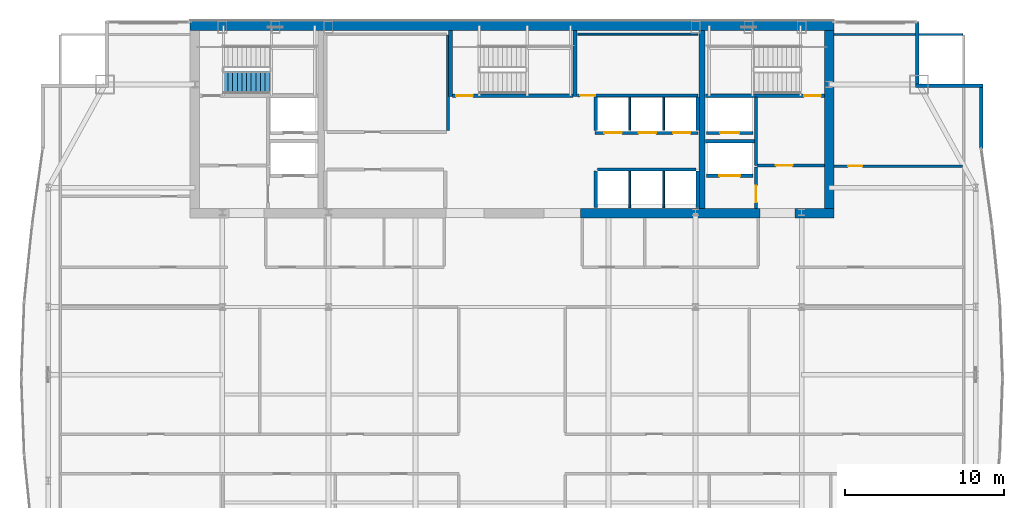
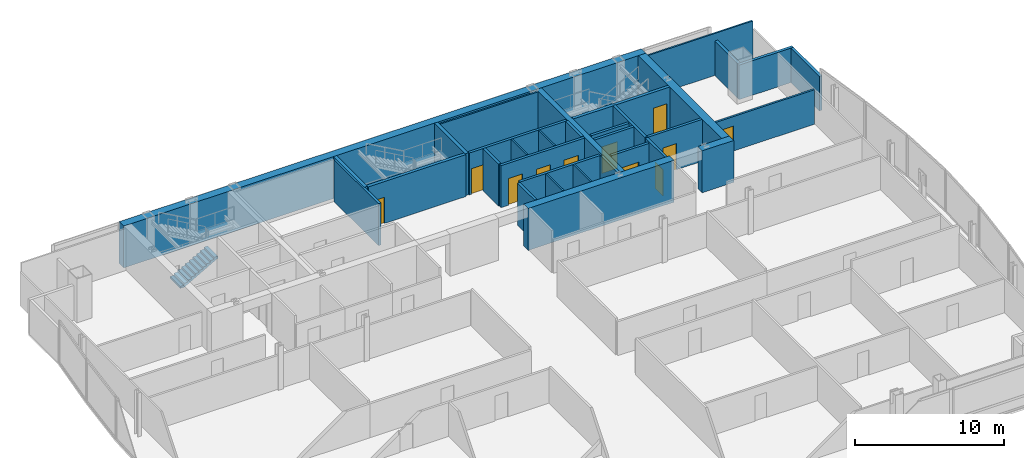
# One storey, part 29 of 32: 33 walls, 11 doors, 1 stair flight, 11 openings, 1 element without a shape of its own.
"""IFC4 building model written with IfcOpenShell, lengths in metres."""

from ifc_helpers import new_model, si_unit, direction, frame, frame_2d, origin, place, context, subcontext, project, spatial, polyline, rectangle, outline, extrude, material, layer, layer_set, type_object, element, fill, aggregate, save


model = new_model("IFC4")

# Units and contexts
model_context = context("Model", 3, precision=1e-05, world=origin(), true_north=direction((0.0, 1.0)))
body_context = subcontext(model_context, "Body", "Model", "MODEL_VIEW")
ifc_project = project(units=[si_unit("LENGTHUNIT", "METRE"), si_unit("AREAUNIT", "SQUARE_METRE"), si_unit("VOLUMEUNIT", "CUBIC_METRE"), si_unit("PLANEANGLEUNIT", "RADIAN"), si_unit("MASSUNIT", "GRAM", prefix="KILO")], contexts=[model_context])

# Site, building, storey
site_placement = place(None, origin())
site = spatial("IfcSite", under=ifc_project, at=site_placement, CompositionType="ELEMENT")
building_placement = place(site_placement, origin())
building = spatial("IfcBuilding", under=site, at=building_placement, Name="Khoronbel Lancet Exchange", CompositionType="ELEMENT")
storey_placement = place(building_placement, frame((0.0, 0.0, 228.199951171875)))
storey = spatial("IfcBuildingStorey", under=building, at=storey_placement, Name="L58", CompositionType="ELEMENT", Elevation=228.199951171875)

# Walls
ifc_material_1 = material(Name="Concrete C60/75", Category="concrete")
ifc_layer_1 = layer(ifc_material_1, 0.60009765625, Name="Concrete C60/75")
ifc_layer_set_1 = layer_set([ifc_layer_1], Name="Concrete C60/75")
wall_type_1 = type_object("IfcWallType", Name="WL-CW3", PredefinedType="SHEAR", material=ifc_layer_set_1)
wall_1_placement = place(storey_placement, frame((16.199951171875, 53.39990234375, 0.0), z_axis=(0.0, 0.0, 1.0), x_axis=(1.0, 0.0, 0.0)))
element("IfcWall", 1, at=wall_1_placement, inside=storey, type_object=wall_type_1, Name="Level L58 rear core north shear wall", PredefinedType="SHEAR", context=body_context, shape_type="SweptSolid", body=[
    extrude(rectangle(XDim=40.5, YDim=0.60009765625, at=frame_2d((20.25, 0.0))), origin(), (0.0, 0.0, 1.0), 3.43994140625),
])
wall_2_placement = place(storey_placement, frame((56.39990234375, 53.10009765625, 0.0), z_axis=(0.0, 0.0, 1.0), x_axis=(0.0, -1.0, 0.0)))
element("IfcWall", 2, at=wall_2_placement, inside=storey, type_object=wall_type_1, Name="Level L58 rear core east shear wall", PredefinedType="SHEAR", context=body_context, shape_type="SweptSolid", body=[
    extrude(rectangle(XDim=11.2001953125, YDim=0.60009765625, at=frame_2d((5.60009765625, 0.0))), origin(), (0.0, 0.0, 1.0), 3.43994140625),
])
wall_3_placement = place(storey_placement, frame((52.050048828125, 41.60009765625, 0.0), z_axis=(0.0, 0.0, 1.0), x_axis=(-1.0, 0.0, 0.0)))
element("IfcWall", 3, at=wall_3_placement, inside=storey, type_object=wall_type_1, Name="Level L58 rear core south shear wall pier P4", PredefinedType="SHEAR", context=body_context, shape_type="SweptSolid", body=[
    extrude(rectangle(XDim=11.300048828125, YDim=0.60009765625, at=frame_2d((5.64990234375, 0.0))), origin(), (0.0, 0.0, 1.0), 3.43994140625),
])
wall_4_placement = place(storey_placement, frame((56.699951171875, 41.60009765625, 0.0), z_axis=(0.0, 0.0, 1.0), x_axis=(-1.0, 0.0, 0.0)))
element("IfcWall", 4, at=wall_4_placement, inside=storey, type_object=wall_type_1, Name="Level L58 rear core south shear wall pier P5", PredefinedType="SHEAR", context=body_context, shape_type="SweptSolid", body=[
    extrude(rectangle(XDim=2.449951171875, YDim=0.60009765625, at=frame_2d((1.22509765625, 0.0))), origin(), (0.0, 0.0, 1.0), 3.43994140625),
])
ifc_material_2 = material(Name="Precast concrete C40/50", Category="concrete")
ifc_layer_2 = layer(ifc_material_2, 0.25, Name="Precast concrete C40/50")
ifc_layer_set_2 = layer_set([ifc_layer_2], Name="Precast concrete C40/50")
wall_type_2 = type_object("IfcWallType", Name="WL-EXT250", PredefinedType="SOLIDWALL", material=ifc_layer_set_2)
wall_5_placement = place(storey_placement, frame((61.9599609375, 53.6298828125, 0.0), z_axis=(0.0, 0.0, 1.0), x_axis=(0.0, -1.0, 0.0)))
element("IfcWall", 5, at=wall_5_placement, inside=storey, type_object=wall_type_2, Name="Level L58 notched-corner limestone pier 14", PredefinedType="SOLIDWALL", context=body_context, shape_type="SweptSolid", body=[
    extrude(rectangle(XDim=3.909912109375, YDim=0.219970703125, at=frame_2d((1.955078125, 0.0))), origin(), (0.0, 0.0, 1.0), 2.830078125),
])
wall_6_placement = place(storey_placement, frame((61.85009765625, 49.610107421875, 0.0), z_axis=(0.0, 0.0, 1.0), x_axis=(1.0, 0.0, 0.0)))
element("IfcWall", 6, at=wall_6_placement, inside=storey, type_object=wall_type_2, Name="Level L58 notched-corner limestone pier 15", PredefinedType="SOLIDWALL", context=body_context, shape_type="SweptSolid", body=[
    extrude(rectangle(XDim=4.219970703125, YDim=0.219970703125, at=frame_2d((2.10986328125, 0.0))), origin(), (0.0, 0.0, 1.0), 2.830078125),
])
wall_7_placement = place(storey_placement, frame((65.9599609375, 49.5, 0.0), z_axis=(0.0, 0.0, 1.0), x_axis=(0.0, -1.0, 0.0)))
element("IfcWall", 7, at=wall_7_placement, inside=storey, type_object=wall_type_2, Name="Level L58 notched-corner limestone pier 16", PredefinedType="SOLIDWALL", context=body_context, shape_type="SweptSolid", body=[
    extrude(rectangle(XDim=3.826416015625, YDim=0.219970703125, at=frame_2d((1.9130859375, 0.0))), origin(), (0.0, 0.0, 1.0), 2.830078125),
])

# Wall, opening, door
ifc_material_3 = material(Name="Acoustic Metal-Stud & Mineral-Wool Gypsum Partition 120 mm", Category="gypsum")
ifc_layer_3 = layer(ifc_material_3, 0.1201171875, Name="Acoustic Metal-Stud & Mineral-Wool Gypsum Partition 120 mm")
ifc_layer_set_3 = layer_set([ifc_layer_3], Name="Acoustic Metal-Stud & Mineral-Wool Gypsum Partition 120 mm")
wall_type_3 = type_object("IfcWallType", Name="WL-PRT120", PredefinedType="PARTITIONING", material=ifc_layer_set_3)
wall_8_placement = place(storey_placement, frame((56.699951171875, 44.56005859375, 0.0), z_axis=(0.0, 0.0, 1.0), x_axis=(1.0, 0.0, 0.0)))
wall_8 = element("IfcWall", 8, at=wall_8_placement, inside=storey, type_object=wall_type_3, Name="Level L58 interior partition PW-NE-H", PredefinedType="PARTITIONING", context=body_context, shape_type="SweptSolid", body=[
    extrude(rectangle(XDim=8.10498046875, YDim=0.14990234375, at=frame_2d((4.052490234375, 0.0))), origin(), (0.0, 0.0, 1.0), 2.830078125),
])
opening_1_placement = place(wall_8_placement, frame((0.89990234375, 0.0, 0.0)))
opening_1 = element("IfcOpeningElement", 9, at=opening_1_placement, cuts=wall_8, Name="Opening D5", PredefinedType="OPENING", context=body_context, shape_type="SweptSolid", body=[
    extrude(rectangle(XDim=0.89990234375, YDim=2.050048828125, at=frame_2d((0.449951171875, 1.02490234375))), frame((0.0, 0.0849609375, 0.0), z_axis=(0.0, -1.0, 0.0), x_axis=(1.0, 0.0, 0.0)), (0.0, 0.0, 1.0), 0.169921875),
])
ifc_material_4 = material(Name="Acoustic Timber Pantry & Support Door", Category="wood")
door_type_1 = type_object("IfcDoorType", Name="DR-D5", OperationType="NOTDEFINED", PredefinedType="DOOR", material=ifc_material_4)
door_1_placement = place(opening_1_placement, origin())
door_1 = element("IfcDoor", 10, at=door_1_placement, inside=storey, type_object=door_type_1, Name="NE north room door L58-1", OperationType="SINGLE_SWING_RIGHT", OverallHeight=2.050048828125, OverallWidth=0.89990234375, PredefinedType="DOOR", context=body_context, shape_type="SweptSolid", body=[
    extrude(rectangle(XDim=0.89990234375, YDim=2.050048828125, at=frame_2d((0.449951171875, 1.02490234375))), frame((0.0, 0.02490234375, 0.0), z_axis=(0.0, -1.0, 0.0), x_axis=(1.0, 0.0, 0.0)), (0.0, 0.0, 1.0), 0.050048828125),
])
fill(opening_1, door_1)

# Walls
wall_9_placement = place(storey_placement, frame((56.699951171875, 52.840087890625, 0.0), z_axis=(0.0, 0.0, 1.0), x_axis=(1.0, 0.0, 0.0)))
element("IfcWall", 11, at=wall_9_placement, inside=storey, type_object=wall_type_3, Name="Level L58 interior partition PW-LIN-NE", PredefinedType="PARTITIONING", context=body_context, shape_type="SweptSolid", body=[
    extrude(rectangle(XDim=8.10498046875, YDim=0.1201171875, at=frame_2d((4.052490234375, 0.0))), origin(), (0.0, 0.0, 1.0), 3.43994140625),
])
ifc_material_5 = material(Name="Fire-Rated Metal-Stud & Mineral-Wool Gypsum Partition 120 mm", Category="gypsum")
ifc_layer_4 = layer(ifc_material_5, 0.1201171875, Name="Fire-Rated Metal-Stud & Mineral-Wool Gypsum Partition 120 mm")
ifc_layer_set_4 = layer_set([ifc_layer_4], Name="Fire-Rated Metal-Stud & Mineral-Wool Gypsum Partition 120 mm")
wall_type_4 = type_object("IfcWallType", Name="WL-PRT120F", PredefinedType="PARTITIONING", material=ifc_layer_set_4)
for number, where, z_axis, x_axis, name in (
    (12, (43.860107421875, 46.800048828125, 0.0), (0.0, 0.0, 1.0), (0.0, 1.0, 0.0), "Level L58 interior partition CW-PH-D1"),
    (13, (46.0, 46.800048828125, 0.0), (0.0, 0.0, 1.0), (0.0, 1.0, 0.0), "Level L58 interior partition CW-PH-D2"),
):
    element("IfcWall", number, at=place(storey_placement, frame(where, z_axis=z_axis, x_axis=x_axis)), inside=storey, type_object=wall_type_4, Name=name, PredefinedType="PARTITIONING", context=body_context, shape_type="SweptSolid", body=[
        extrude(rectangle(XDim=2.094970703125, YDim=0.1201171875, at=frame_2d((1.04736328125, 0.0))), origin(), (0.0, 0.0, 1.0), 3.43994140625),
    ])
for number, where, z_axis, x_axis, name in (
    (14, (43.860107421875, 41.949951171875, 0.0), (0.0, 0.0, 1.0), (0.0, 1.0, 0.0), "Level L58 interior partition CW-PX-D1"),
    (15, (46.0, 41.949951171875, 0.0), (0.0, 0.0, 1.0), (0.0, 1.0, 0.0), "Level L58 interior partition CW-PX-D2"),
):
    element("IfcWall", number, at=place(storey_placement, frame(where, z_axis=z_axis, x_axis=x_axis)), inside=storey, type_object=wall_type_4, Name=name, PredefinedType="PARTITIONING", context=body_context, shape_type="SweptSolid", body=[
        extrude(rectangle(XDim=2.295166015625, YDim=0.1201171875, at=frame_2d((1.1474609375, 0.0))), origin(), (0.0, 0.0, 1.0), 3.43994140625),
    ])
wall_10_placement = place(storey_placement, frame((40.580078125, 52.860107421875, 0.0), z_axis=(0.0, 0.0, 1.0), x_axis=(1.0, 0.0, 0.0)))
element("IfcWall", 16, at=wall_10_placement, inside=storey, type_object=wall_type_4, Name="Level L58 interior partition CW-SUP-NE-N", PredefinedType="PARTITIONING", context=body_context, shape_type="SweptSolid", body=[
    extrude(rectangle(XDim=7.559814453125, YDim=0.1201171875, at=frame_2d((3.77978515625, 0.0))), origin(), (0.0, 0.0, 1.0), 3.43994140625),
])

# Wall, opening, door
ifc_material_6 = material(Name="Autoclaved Aerated Concrete Blockwork 200 mm", Category="masonry")
ifc_layer_5 = layer(ifc_material_6, 0.199951171875, Name="Autoclaved Aerated Concrete Blockwork 200 mm")
ifc_layer_set_5 = layer_set([ifc_layer_5], Name="Autoclaved Aerated Concrete Blockwork 200 mm")
wall_type_5 = type_object("IfcWallType", Name="WL-PRT200", PredefinedType="PARTITIONING", material=ifc_layer_set_5)
wall_11_placement = place(storey_placement, frame((51.610107421875, 43.949951171875, 0.0), z_axis=(0.0, 0.0, 1.0), x_axis=(-1.0, 0.0, 0.0)))
wall_11 = element("IfcWall", 17, at=wall_11_placement, inside=storey, type_object=wall_type_5, Name="Level L58 elevator hoistway landing front wall SVLE", PredefinedType="PARTITIONING", context=body_context, shape_type="SweptSolid", body=[
    extrude(rectangle(XDim=2.920166015625, YDim=0.199951171875, at=frame_2d((1.4599609375, 0.0))), origin(), (0.0, 0.0, 1.0), 3.43994140625),
])
opening_2_placement = place(wall_11_placement, frame((0.81005859375, 0.0, 0.0)))
opening_2 = element("IfcOpeningElement", 18, at=opening_2_placement, cuts=wall_11, Name="Opening LD-SVL2", PredefinedType="OPENING", context=body_context, shape_type="SweptSolid", body=[
    extrude(rectangle(XDim=1.300048828125, YDim=2.179931640625, at=frame_2d((0.64990234375, 1.08984375))), frame((0.0, 0.10986328125, 0.0), z_axis=(0.0, -1.0, 0.0), x_axis=(1.0, 0.0, 0.0)), (0.0, 0.0, 1.0), 0.219970703125),
])
ifc_material_7 = material(Name="Heavy-Duty Bi-Parting Goods Lift Landing Door", Category="steel")
door_type_2 = type_object("IfcDoorType", Name="DR-LD-SVL", OperationType="NOTDEFINED", PredefinedType="DOOR", material=ifc_material_7)
door_2_placement = place(opening_2_placement, origin())
door_2 = element("IfcDoor", 19, at=door_2_placement, inside=storey, type_object=door_type_2, Name="Elevator landing sliding door LD-SVL2 L58", OperationType="SLIDING_TO_LEFT", OverallHeight=2.179931640625, OverallWidth=1.300048828125, PredefinedType="DOOR", context=body_context, shape_type="SweptSolid", body=[
    extrude(rectangle(XDim=1.300048828125, YDim=2.179931640625, at=frame_2d((0.64990234375, 1.08984375))), frame((0.0, 0.02490234375, 0.0), z_axis=(0.0, -1.0, 0.0), x_axis=(1.0, 0.0, 0.0)), (0.0, 0.0, 1.0), 0.050048828125),
])
fill(opening_2, door_2)

wall_12_placement = place(storey_placement, frame((51.610107421875, 46.64990234375, 0.0), z_axis=(0.0, 0.0, 1.0), x_axis=(-1.0, 0.0, 0.0)))
wall_12 = element("IfcWall", 20, at=wall_12_placement, inside=storey, type_object=wall_type_5, Name="Level L58 elevator hoistway landing front wall FFLE", PredefinedType="PARTITIONING", context=body_context, shape_type="SweptSolid", body=[
    extrude(rectangle(XDim=2.920166015625, YDim=0.199951171875, at=frame_2d((1.4599609375, 0.0))), origin(), (0.0, 0.0, 1.0), 3.43994140625),
])
opening_3_placement = place(wall_12_placement, frame((0.860107421875, 0.0, 0.0)))
opening_3 = element("IfcOpeningElement", 21, at=opening_3_placement, cuts=wall_12, Name="Opening LD-FFL2", PredefinedType="OPENING", context=body_context, shape_type="SweptSolid", body=[
    extrude(rectangle(XDim=1.199951171875, YDim=2.179931640625, at=frame_2d((0.60009765625, 1.08984375))), frame((0.0, 0.10986328125, 0.0), z_axis=(0.0, -1.0, 0.0), x_axis=(1.0, 0.0, 0.0)), (0.0, 0.0, 1.0), 0.219970703125),
])
ifc_material_8 = material(Name="Fire-Rated Stainless Bi-Parting Firefighting Lift Door", Category="steel")
door_type_3 = type_object("IfcDoorType", Name="DR-LD-FFL", OperationType="NOTDEFINED", PredefinedType="DOOR", material=ifc_material_8)
door_3_placement = place(opening_3_placement, origin())
door_3 = element("IfcDoor", 22, at=door_3_placement, inside=storey, type_object=door_type_3, Name="Elevator landing sliding door LD-FFL2 L58", OperationType="SLIDING_TO_LEFT", OverallHeight=2.179931640625, OverallWidth=1.199951171875, PredefinedType="DOOR", context=body_context, shape_type="SweptSolid", body=[
    extrude(rectangle(XDim=1.199951171875, YDim=2.179931640625, at=frame_2d((0.60009765625, 1.08984375))), frame((0.0, 0.02490234375, 0.0), z_axis=(0.0, -1.0, 0.0), x_axis=(1.0, 0.0, 0.0)), (0.0, 0.0, 1.0), 0.050048828125),
])
fill(opening_3, door_3)

# Wall, openings, doors
wall_13_placement = place(storey_placement, frame((48.159912109375, 46.64990234375, 0.0), z_axis=(0.0, 0.0, 1.0), x_axis=(-1.0, 0.0, 0.0)))
wall_13 = element("IfcWall", 23, at=wall_13_placement, inside=storey, type_object=wall_type_5, Name="Level L58 elevator hoistway landing front wall PHE", PredefinedType="PARTITIONING", context=body_context, shape_type="SweptSolid", body=[
    extrude(rectangle(XDim=6.47998046875, YDim=0.199951171875, at=frame_2d((3.239990234375, 0.0))), origin(), (0.0, 0.0, 1.0), 3.43994140625),
])
opening_4_placement = place(wall_13_placement, frame((4.800048828125, 0.0, 0.0)))
opening_4 = element("IfcOpeningElement", 24, at=opening_4_placement, cuts=wall_13, Name="Opening LD-PH1", PredefinedType="OPENING", context=body_context, shape_type="SweptSolid", body=[
    extrude(rectangle(XDim=1.10009765625, YDim=2.179931640625, at=frame_2d((0.550048828125, 1.08984375))), frame((0.0, 0.10986328125, 0.0), z_axis=(0.0, -1.0, 0.0), x_axis=(1.0, 0.0, 0.0)), (0.0, 0.0, 1.0), 0.219970703125),
])
opening_5_placement = place(wall_13_placement, frame((2.639892578125, 0.0, 0.0)))
opening_5 = element("IfcOpeningElement", 25, at=opening_5_placement, cuts=wall_13, Name="Opening LD-PH2", PredefinedType="OPENING", context=body_context, shape_type="SweptSolid", body=[
    extrude(rectangle(XDim=1.10009765625, YDim=2.179931640625, at=frame_2d((0.550048828125, 1.08984375))), frame((0.0, 0.10986328125, 0.0), z_axis=(0.0, -1.0, 0.0), x_axis=(1.0, 0.0, 0.0)), (0.0, 0.0, 1.0), 0.219970703125),
])
opening_6_placement = place(wall_13_placement, frame((0.47998046875, 0.0, 0.0)))
opening_6 = element("IfcOpeningElement", 26, at=opening_6_placement, cuts=wall_13, Name="Opening LD-PH3", PredefinedType="OPENING", context=body_context, shape_type="SweptSolid", body=[
    extrude(rectangle(XDim=1.10009765625, YDim=2.179931640625, at=frame_2d((0.550048828125, 1.08984375))), frame((0.0, 0.10986328125, 0.0), z_axis=(0.0, -1.0, 0.0), x_axis=(1.0, 0.0, 0.0)), (0.0, 0.0, 1.0), 0.219970703125),
])
ifc_material_9 = material(Name="Brushed Bronze Bi-Parting Elevator Landing Door", Category="steel")
door_type_4 = type_object("IfcDoorType", Name="DR-LD-PAX", OperationType="NOTDEFINED", PredefinedType="DOOR", material=ifc_material_9)
door_4_placement = place(opening_4_placement, origin())
door_4 = element("IfcDoor", 27, at=door_4_placement, inside=storey, type_object=door_type_4, Name="Elevator landing sliding door LD-PH1 L58", OperationType="SLIDING_TO_LEFT", OverallHeight=2.179931640625, OverallWidth=1.10009765625, PredefinedType="DOOR", context=body_context, shape_type="SweptSolid", body=[
    extrude(rectangle(XDim=1.10009765625, YDim=2.179931640625, at=frame_2d((0.550048828125, 1.08984375))), frame((0.0, 0.02490234375, 0.0), z_axis=(0.0, -1.0, 0.0), x_axis=(1.0, 0.0, 0.0)), (0.0, 0.0, 1.0), 0.050048828125),
])
fill(opening_4, door_4)
door_5_placement = place(opening_5_placement, origin())
door_5 = element("IfcDoor", 28, at=door_5_placement, inside=storey, type_object=door_type_4, Name="Elevator landing sliding door LD-PH2 L58", OperationType="SLIDING_TO_LEFT", OverallHeight=2.179931640625, OverallWidth=1.10009765625, PredefinedType="DOOR", context=body_context, shape_type="SweptSolid", body=[
    extrude(rectangle(XDim=1.10009765625, YDim=2.179931640625, at=frame_2d((0.550048828125, 1.08984375))), frame((0.0, 0.02490234375, 0.0), z_axis=(0.0, -1.0, 0.0), x_axis=(1.0, 0.0, 0.0)), (0.0, 0.0, 1.0), 0.050048828125),
])
fill(opening_5, door_5)
door_6_placement = place(opening_6_placement, origin())
door_6 = element("IfcDoor", 29, at=door_6_placement, inside=storey, type_object=door_type_4, Name="Elevator landing sliding door LD-PH3 L58", OperationType="SLIDING_TO_LEFT", OverallHeight=2.179931640625, OverallWidth=1.10009765625, PredefinedType="DOOR", context=body_context, shape_type="SweptSolid", body=[
    extrude(rectangle(XDim=1.10009765625, YDim=2.179931640625, at=frame_2d((0.550048828125, 1.08984375))), frame((0.0, 0.02490234375, 0.0), z_axis=(0.0, -1.0, 0.0), x_axis=(1.0, 0.0, 0.0)), (0.0, 0.0, 1.0), 0.050048828125),
])
fill(opening_6, door_6)

# Wall
wall_14_placement = place(storey_placement, frame((51.800048828125, 44.60009765625, 0.0), z_axis=(0.0, 0.0, 1.0), x_axis=(0.0, 1.0, 0.0)))
element("IfcWall", 30, at=wall_14_placement, inside=storey, type_object=wall_type_5, Name="Level L58 interior partition CW-FFLE-W", PredefinedType="PARTITIONING", context=body_context, shape_type="SweptSolid", body=[
    extrude(rectangle(XDim=4.2998046875, YDim=0.199951171875, at=frame_2d((2.14990234375, 0.0))), origin(), (0.0, 0.0, 1.0), 3.43994140625),
])

# Wall, opening, door
wall_15_placement = place(storey_placement, frame((51.89990234375, 44.60009765625, 0.0), z_axis=(0.0, 0.0, 1.0), x_axis=(1.0, 0.0, 0.0)))
wall_15 = element("IfcWall", 31, at=wall_15_placement, inside=storey, type_object=wall_type_5, Name="Level L58 interior partition CW-FFLE-S", PredefinedType="PARTITIONING", context=body_context, shape_type="SweptSolid", body=[
    extrude(rectangle(XDim=4.2001953125, YDim=0.199951171875, at=frame_2d((2.10009765625, 0.0))), origin(), (0.0, 0.0, 1.0), 3.43994140625),
])
opening_7_placement = place(wall_15_placement, frame((1.14990234375, 0.0, 0.0)))
opening_7 = element("IfcOpeningElement", 32, at=opening_7_placement, cuts=wall_15, Name="Opening FD1", PredefinedType="OPENING", context=body_context, shape_type="SweptSolid", body=[
    extrude(rectangle(XDim=1.050048828125, YDim=2.14990234375, at=frame_2d((0.52490234375, 1.074951171875))), frame((0.0, 0.10986328125, 0.0), z_axis=(0.0, -1.0, 0.0), x_axis=(1.0, 0.0, 0.0)), (0.0, 0.0, 1.0), 0.219970703125),
])
ifc_material_10 = material(Name="Fire-Rated Painted Steel Door Assembly", Category="steel")
door_type_5 = type_object("IfcDoorType", Name="DR-FD1", OperationType="NOTDEFINED", PredefinedType="DOOR", material=ifc_material_10)
door_7_placement = place(opening_7_placement, origin())
door_7 = element("IfcDoor", 33, at=door_7_placement, inside=storey, type_object=door_type_5, Name="East firefighting lobby FD90S door L58-1", OperationType="SINGLE_SWING_LEFT", OverallHeight=2.14990234375, OverallWidth=1.050048828125, PredefinedType="DOOR", context=body_context, shape_type="SweptSolid", body=[
    extrude(rectangle(XDim=1.050048828125, YDim=2.14990234375, at=frame_2d((0.52490234375, 1.074951171875))), frame((0.0, 0.02490234375, 0.0), z_axis=(0.0, -1.0, 0.0), x_axis=(1.0, 0.0, 0.0)), (0.0, 0.0, 1.0), 0.050048828125),
])
fill(opening_7, door_7)

# Wall
wall_16_placement = place(storey_placement, frame((48.6298828125, 46.1201171875, 0.0), z_axis=(0.0, 0.0, 1.0), x_axis=(1.0, 0.0, 0.0)))
element("IfcWall", 34, at=wall_16_placement, inside=storey, type_object=wall_type_5, Name="Level L58 interior partition CW-FFL2-S", PredefinedType="PARTITIONING", context=body_context, shape_type="SweptSolid", body=[
    extrude(rectangle(XDim=3.070068359375, YDim=0.199951171875, at=frame_2d((1.53515625, 0.0))), origin(), (0.0, 0.0, 1.0), 3.43994140625),
])

# Wall, opening, door
wall_17_placement = place(storey_placement, frame((51.800048828125, 41.89990234375, 0.0), z_axis=(0.0, 0.0, 1.0), x_axis=(0.0, 1.0, 0.0)))
wall_17 = element("IfcWall", 35, at=wall_17_placement, inside=storey, type_object=wall_type_5, Name="Level L58 interior partition CW-SVLE-E", PredefinedType="PARTITIONING", context=body_context, shape_type="SweptSolid", body=[
    extrude(rectangle(XDim=2.59521484375, YDim=0.199951171875, at=frame_2d((1.297607421875, 0.0))), origin(), (0.0, 0.0, 1.0), 3.43994140625),
])
opening_8_placement = place(wall_17_placement, frame((0.3798828125, 0.0, 0.0)))
opening_8 = element("IfcOpeningElement", 36, at=opening_8_placement, cuts=wall_17, Name="Opening FD1", PredefinedType="OPENING", context=body_context, shape_type="SweptSolid", body=[
    extrude(rectangle(XDim=1.050048828125, YDim=2.14990234375, at=frame_2d((0.52490234375, 1.074951171875))), frame((0.0, 0.10986328125, 0.0), z_axis=(0.0, -1.0, 0.0), x_axis=(1.0, 0.0, 0.0)), (0.0, 0.0, 1.0), 0.219970703125),
])
door_8_placement = place(opening_8_placement, origin())
door_8 = element("IfcDoor", 37, at=door_8_placement, inside=storey, type_object=door_type_5, Name="East service lift lobby door L58-1", OperationType="SINGLE_SWING_RIGHT", OverallHeight=2.14990234375, OverallWidth=1.050048828125, PredefinedType="DOOR", context=body_context, shape_type="SweptSolid", body=[
    extrude(rectangle(XDim=1.050048828125, YDim=2.14990234375, at=frame_2d((0.52490234375, 1.074951171875))), frame((0.0, 0.02490234375, 0.0), z_axis=(0.0, -1.0, 0.0), x_axis=(1.0, 0.0, 0.0)), (0.0, 0.0, 1.0), 0.050048828125),
])
fill(opening_8, door_8)

# Walls
wall_18_placement = place(storey_placement, frame((32.419921875, 46.804931640625, 0.0), z_axis=(0.0, 0.0, 1.0), x_axis=(0.0, 1.0, 0.0)))
element("IfcWall", 38, at=wall_18_placement, inside=storey, type_object=wall_type_5, Name="Level L58 interior partition CW-PL-RE", PredefinedType="PARTITIONING", context=body_context, shape_type="SweptSolid", body=[
    extrude(rectangle(XDim=5.989990234375, YDim=0.199951171875, at=frame_2d((2.9951171875, 0.0))), origin(), (0.0, 0.0, 1.0), 3.43994140625),
])
for number, where, z_axis, x_axis, name in (
    (39, (41.719970703125, 46.800048828125, 0.0), (0.0, 0.0, 1.0), (0.0, 1.0, 0.0), "Level L58 interior partition CW-PH-W"),
    (40, (48.139892578125, 46.800048828125, 0.0), (0.0, 0.0, 1.0), (0.0, 1.0, 0.0), "Level L58 interior partition CW-PH-E"),
):
    element("IfcWall", number, at=place(storey_placement, frame(where, z_axis=z_axis, x_axis=x_axis)), inside=storey, type_object=wall_type_5, Name=name, PredefinedType="PARTITIONING", context=body_context, shape_type="SweptSolid", body=[
        extrude(rectangle(XDim=2.094970703125, YDim=0.199951171875, at=frame_2d((1.04736328125, 0.0))), origin(), (0.0, 0.0, 1.0), 3.43994140625),
    ])
wall_19_placement = place(storey_placement, frame((41.824951171875, 44.35009765625, 0.0), z_axis=(0.0, 0.0, 1.0), x_axis=(1.0, 0.0, 0.0)))
element("IfcWall", 41, at=wall_19_placement, inside=storey, type_object=wall_type_5, Name="Level L58 interior partition CW-PX-EXP", PredefinedType="PARTITIONING", context=body_context, shape_type="SweptSolid", body=[
    extrude(rectangle(XDim=6.2099609375, YDim=0.199951171875, at=frame_2d((3.10498046875, 0.0))), origin(), (0.0, 0.0, 1.0), 3.43994140625),
])
for number, where, z_axis, x_axis, name in (
    (42, (41.719970703125, 41.949951171875, 0.0), (0.0, 0.0, 1.0), (0.0, 1.0, 0.0), "Level L58 interior partition CW-PX-W"),
    (43, (48.139892578125, 41.949951171875, 0.0), (0.0, 0.0, 1.0), (0.0, 1.0, 0.0), "Level L58 interior partition CW-PX-E"),
):
    element("IfcWall", number, at=place(storey_placement, frame(where, z_axis=z_axis, x_axis=x_axis)), inside=storey, type_object=wall_type_5, Name=name, PredefinedType="PARTITIONING", context=body_context, shape_type="SweptSolid", body=[
        extrude(rectangle(XDim=2.295166015625, YDim=0.199951171875, at=frame_2d((1.1474609375, 0.0))), origin(), (0.0, 0.0, 1.0), 3.43994140625),
    ])

# Wall, opening, door
wall_20_placement = place(storey_placement, frame((40.580078125, 49.0, 0.0), z_axis=(0.0, 0.0, 1.0), x_axis=(1.0, 0.0, 0.0)))
wall_20 = element("IfcWall", 44, at=wall_20_placement, inside=storey, type_object=wall_type_5, Name="Level L58 interior partition CW-SUP-NE-S", PredefinedType="PARTITIONING", context=body_context, shape_type="SweptSolid", body=[
    extrude(rectangle(XDim=7.559814453125, YDim=0.199951171875, at=frame_2d((3.77978515625, 0.0))), origin(), (0.0, 0.0, 1.0), 3.43994140625),
])
opening_9_placement = place(wall_20_placement, frame((0.159912109375, 0.0, 0.0)))
opening_9 = element("IfcOpeningElement", 45, at=opening_9_placement, cuts=wall_20, Name="Opening FD3", PredefinedType="OPENING", context=body_context, shape_type="SweptSolid", body=[
    extrude(rectangle(XDim=0.949951171875, YDim=2.10009765625, at=frame_2d((0.47509765625, 1.050048828125))), frame((0.0, 0.10986328125, 0.0), z_axis=(0.0, -1.0, 0.0), x_axis=(1.0, 0.0, 0.0)), (0.0, 0.0, 1.0), 0.219970703125),
])
ifc_material_11 = material(Name="Fire-Rated Steel Plant & Riser Door Assembly", Category="steel")
door_type_6 = type_object("IfcDoorType", Name="DR-FD3", OperationType="NOTDEFINED", PredefinedType="DOOR", material=ifc_material_11)
door_9_placement = place(opening_9_placement, origin())
door_9 = element("IfcDoor", 46, at=door_9_placement, inside=storey, type_object=door_type_6, Name="Core NE support room door L58-1", OperationType="SINGLE_SWING_LEFT", OverallHeight=2.10009765625, OverallWidth=0.949951171875, PredefinedType="DOOR", context=body_context, shape_type="SweptSolid", body=[
    extrude(rectangle(XDim=0.949951171875, YDim=2.10009765625, at=frame_2d((0.47509765625, 1.050048828125))), frame((0.0, 0.02490234375, 0.0), z_axis=(0.0, -1.0, 0.0), x_axis=(1.0, 0.0, 0.0)), (0.0, 0.0, 1.0), 0.050048828125),
])
fill(opening_9, door_9)

# Walls
ifc_layer_6 = layer(ifc_material_1, 0.39990234375, Name="Concrete C60/75")
ifc_layer_set_6 = layer_set([ifc_layer_6], Name="Concrete C60/75")
wall_type_6 = type_object("IfcWallType", Name="WL-SW2", PredefinedType="SHEAR", material=ifc_layer_set_6)
wall_21_placement = place(storey_placement, frame((48.39990234375, 41.89990234375, 0.0), z_axis=(0.0, 0.0, 1.0), x_axis=(0.0, 1.0, 0.0)))
element("IfcWall", 47, at=wall_21_placement, inside=storey, type_object=wall_type_6, Name="Level L58 rear core internal spine shear wall IE", PredefinedType="SHEAR", context=body_context, shape_type="SweptSolid", body=[
    extrude(rectangle(XDim=11.2001953125, YDim=0.39990234375, at=frame_2d((5.60009765625, 0.0))), origin(), (0.0, 0.0, 1.0), 3.43994140625),
])
ifc_layer_7 = layer(ifc_material_1, 0.260009765625, Name="Concrete C60/75")
ifc_layer_set_7 = layer_set([ifc_layer_7], Name="Concrete C60/75")
wall_type_7 = type_object("IfcWallType", Name="WL-SW3", PredefinedType="SHEAR", material=ifc_layer_set_7)
for number, where, z_axis, x_axis, name in (
    (48, (32.580078125, 48.949951171875, 0.0), (0.0, 0.0, 1.0), (0.0, 1.0, 0.0), "Level L58 central stairwell structural shear wall ST3W"),
    (49, (40.419921875, 48.949951171875, 0.0), (0.0, 0.0, 1.0), (0.0, 1.0, 0.0), "Level L58 central stairwell structural shear wall ST3E"),
):
    element("IfcWall", number, at=place(storey_placement, frame(where, z_axis=z_axis, x_axis=x_axis)), inside=storey, type_object=wall_type_7, Name=name, PredefinedType="SHEAR", context=body_context, shape_type="SweptSolid", body=[
        extrude(rectangle(XDim=4.150146484375, YDim=0.260009765625, at=frame_2d((2.0751953125, 0.0))), origin(), (0.0, 0.0, 1.0), 3.43994140625),
    ])

# Wall, opening, door
wall_22_placement = place(storey_placement, frame((48.6298828125, 48.97998046875, 0.0), z_axis=(0.0, 0.0, 1.0), x_axis=(1.0, 0.0, 0.0)))
wall_22 = element("IfcWall", 50, at=wall_22_placement, inside=storey, type_object=wall_type_7, Name="Level L58 east stairwell structural south wall", PredefinedType="SHEAR", context=body_context, shape_type="SweptSolid", body=[
    extrude(rectangle(XDim=7.47021484375, YDim=0.239990234375, at=frame_2d((3.735107421875, 0.0))), origin(), (0.0, 0.0, 1.0), 3.43994140625),
])
opening_10_placement = place(wall_22_placement, frame((6.199951171875, 0.0, 0.0)))
opening_10 = element("IfcOpeningElement", 51, at=opening_10_placement, cuts=wall_22, Name="Opening SD1", PredefinedType="OPENING", context=body_context, shape_type="SweptSolid", body=[
    extrude(rectangle(XDim=1.050048828125, YDim=2.14990234375, at=frame_2d((0.52490234375, 1.074951171875))), frame((0.0, 0.1298828125, 0.0), z_axis=(0.0, -1.0, 0.0), x_axis=(1.0, 0.0, 0.0)), (0.0, 0.0, 1.0), 0.260009765625),
])
ifc_material_12 = material(Name="Fire-Rated Steel Stairwell Door Assembly", Category="steel")
door_type_7 = type_object("IfcDoorType", Name="DR-SD1", OperationType="NOTDEFINED", PredefinedType="DOOR", material=ifc_material_12)
door_10_placement = place(opening_10_placement, origin())
door_10 = element("IfcDoor", 52, at=door_10_placement, inside=storey, type_object=door_type_7, Name="Protected exit stair ST2 door L58", OperationType="SINGLE_SWING_RIGHT", OverallHeight=2.14990234375, OverallWidth=1.050048828125, PredefinedType="DOOR", context=body_context, shape_type="SweptSolid", body=[
    extrude(rectangle(XDim=1.050048828125, YDim=2.14990234375, at=frame_2d((0.52490234375, 1.074951171875))), frame((0.0, 0.02490234375, 0.0), z_axis=(0.0, -1.0, 0.0), x_axis=(1.0, 0.0, 0.0)), (0.0, 0.0, 1.0), 0.050048828125),
])
fill(opening_10, door_10)

wall_23_placement = place(storey_placement, frame((32.719970703125, 48.97998046875, 0.0), z_axis=(0.0, 0.0, 1.0), x_axis=(1.0, 0.0, 0.0)))
wall_23 = element("IfcWall", 53, at=wall_23_placement, inside=storey, type_object=wall_type_7, Name="Level L58 central stairwell structural south wall", PredefinedType="SHEAR", context=body_context, shape_type="SweptSolid", body=[
    extrude(rectangle(XDim=7.56005859375, YDim=0.239990234375, at=frame_2d((3.780029296875, 0.0))), origin(), (0.0, 0.0, 1.0), 3.43994140625),
])
opening_11_placement = place(wall_23_placement, frame((0.219970703125, 0.0, 0.0)))
opening_11 = element("IfcOpeningElement", 54, at=opening_11_placement, cuts=wall_23, Name="Opening SD1", PredefinedType="OPENING", context=body_context, shape_type="SweptSolid", body=[
    extrude(rectangle(XDim=1.050048828125, YDim=2.14990234375, at=frame_2d((0.52490234375, 1.074951171875))), frame((0.0, 0.1298828125, 0.0), z_axis=(0.0, -1.0, 0.0), x_axis=(1.0, 0.0, 0.0)), (0.0, 0.0, 1.0), 0.260009765625),
])
door_11_placement = place(opening_11_placement, origin())
door_11 = element("IfcDoor", 55, at=door_11_placement, inside=storey, type_object=door_type_7, Name="Protected exit stair ST3 door L58", OperationType="SINGLE_SWING_LEFT", OverallHeight=2.14990234375, OverallWidth=1.050048828125, PredefinedType="DOOR", context=body_context, shape_type="SweptSolid", body=[
    extrude(rectangle(XDim=1.050048828125, YDim=2.14990234375, at=frame_2d((0.52490234375, 1.074951171875))), frame((0.0, 0.02490234375, 0.0), z_axis=(0.0, -1.0, 0.0), x_axis=(1.0, 0.0, 0.0)), (0.0, 0.0, 1.0), 0.050048828125),
])
fill(opening_11, door_11)

# Stair, stair flight
ifc_material_13 = material(Name="Concrete C40/50", Category="concrete")
stair_type = type_object("IfcStairType", Name="STR-CORE150", PredefinedType="HALF_TURN_STAIR", material=ifc_material_13)
stair_placement = place(storey_placement, origin())
stair = element("IfcStair", 56, at=stair_placement, inside=storey, type_object=stair_type, Name="L58 Protected Exit Stair ST1", PredefinedType="HALF_TURN_STAIR")
stair_flight_type = type_object("IfcStairFlightType", Name="STF-150", PredefinedType="STRAIGHT", material=ifc_material_13)
stair_flight_placement = place(storey_placement, frame((18.300048828125, 49.81005859375, 0.0), z_axis=(0.0, 0.0, 1.0), x_axis=(1.0, 0.0, 0.0)))
stair_flight = element("IfcStairFlight", 57, at=stair_flight_placement, type_object=stair_flight_type, Name="ST1 flight 1", NumberOfRisers=11, NumberOfTreads=10, PredefinedType="STRAIGHT", RiserHeight=0.163636364, TreadLength=0.29, context=body_context, shape_type="SweptSolid", body=[
    extrude(outline(polyline([(0.0, 0.0), (0.0, 0.16357421875), (0.2900390625, 0.16357421875), (0.2900390625, 0.327392578125), (0.580078125, 0.327392578125), (0.580078125, 0.490966796875), (0.8701171875, 0.490966796875), (0.8701171875, 0.654541015625), (1.159912109375, 0.654541015625), (1.159912109375, 0.818115234375), (1.449951171875, 0.818115234375), (1.449951171875, 0.98193359375), (1.739990234375, 0.98193359375), (1.739990234375, 1.1455078125), (2.030029296875, 1.1455078125), (2.030029296875, 1.30908203125), (2.320068359375, 1.30908203125), (2.320068359375, 1.47265625), (2.610107421875, 1.47265625), (2.610107421875, 1.636474609375), (2.89990234375, 1.636474609375), (2.89990234375, 1.800048828125), (2.89990234375, 1.46435546875), (0.304931640625, 0.0), (0.0, 0.0)])), frame((0.0, 0.68994140625, 0.0), z_axis=(0.0, -1.0, 0.0), x_axis=(1.0, 0.0, 0.0)), (0.0, 0.0, 1.0), 1.3798828125),
])
aggregate(stair, [stair_flight])

save(model, "model.ifc")
